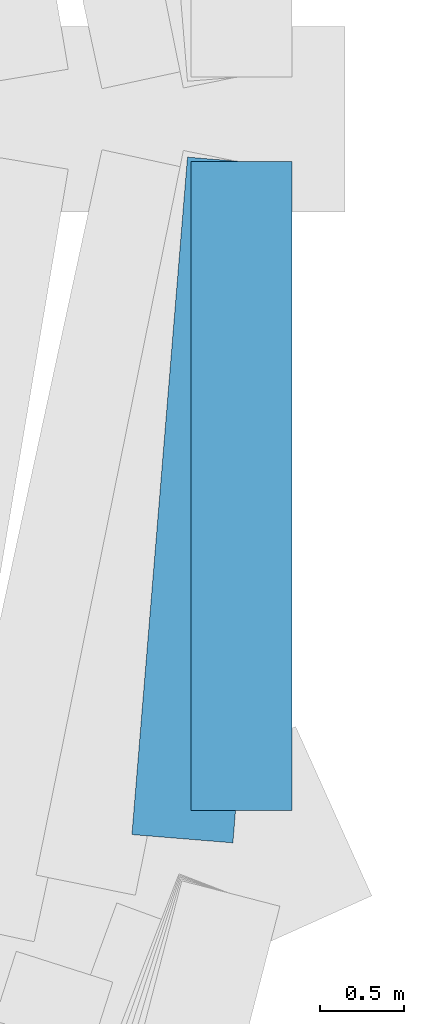
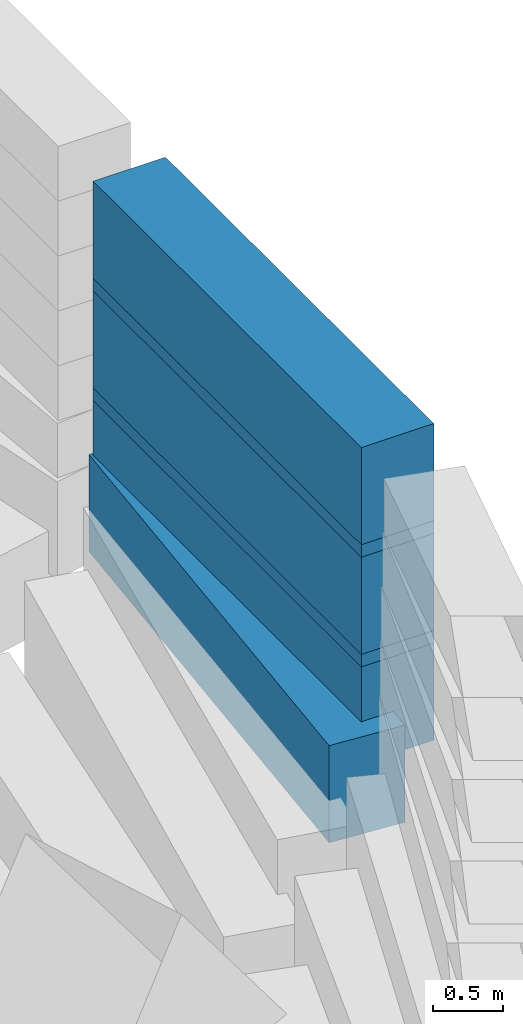
# One storey, part 17 of 55: 6 beams.
"""IFC4 building model written with IfcOpenShell, lengths in metres."""

from ifc_helpers import new_model, si_unit, derived_unit, direction, frame, origin, origin_2d, place, context, subcontext, project, spatial, rectangle, extrude, material, material_profile, profile_set, type_object, element, save


model = new_model("IFC4")

# Units and contexts
model_context = context("Model", 3, precision=1e-05, world=origin(), true_north=direction((0.0, 1.0)))
body_context = subcontext(model_context, "Body", "Model", "MODEL_VIEW")
ifc_project = project(units=[si_unit("LENGTHUNIT", "METRE"), si_unit("AREAUNIT", "SQUARE_METRE"), si_unit("VOLUMEUNIT", "CUBIC_METRE"), si_unit("PLANEANGLEUNIT", "RADIAN"), si_unit("MASSUNIT", "GRAM", prefix="KILO"), derived_unit("THERMALTRANSMITTANCEUNIT", [(si_unit("MASSUNIT", "GRAM", prefix="KILO"), 1), (si_unit("TIMEUNIT", "SECOND"), -3), (si_unit("THERMODYNAMICTEMPERATUREUNIT", "KELVIN"), -1)])], contexts=[model_context])

# Site, building, storey
site_placement = place(None, origin())
site = spatial("IfcSite", under=ifc_project, at=site_placement, CompositionType="ELEMENT")
building_placement = place(site_placement, origin())
building = spatial("IfcBuilding", under=site, at=building_placement, Name="Valcora Ridge Arena", CompositionType="ELEMENT")
storey_placement = place(building_placement, frame((0.0, 0.0, 21.0)))
storey = spatial("IfcBuildingStorey", under=building, at=storey_placement, Name="L04", CompositionType="ELEMENT", Elevation=21.0)

# Beams
ifc_material = material(Name="Concrete C40/50", Category="concrete")
ifc_material_profile = material_profile(ifc_material, rectangle(XDim=0.60009765625, YDim=0.85009765625, at=origin_2d()), Name="RC 600x850")
ifc_profile_set = profile_set([ifc_material_profile], Name="Concrete C40/50")
beam_type = type_object("IfcBeamType", Name="TY-BEAM-B-RC600-X", PredefinedType="BEAM", material=ifc_profile_set)
beam_placement = place(storey_placement, frame((93.55078125, 59.837890625, -3.905029296875), z_axis=(0.081735696673, 0.996654040221, 0.0), x_axis=(-0.996654040221, 0.081735696673, 0.0)))
element("IfcBeam", 1, at=beam_placement, inside=storey, type_object=beam_type, Name="B-RC600-X BEM-RU3-B-RC600-X-0380", PredefinedType="BEAM", context=body_context, shape_type="SweptSolid", body=[
    extrude(rectangle(XDim=0.60009765625, YDim=0.85009765625, at=origin_2d()), origin(), (0.0, 0.0, 1.0), 4.0263671875),
])
for number, where, z_axis, x_axis, name in (
    (2, (93.900390625, 60.005126953125, -3.425048828125), (0.0, 1.0, 0.0), (-1.0, 0.0, 0.0), "B-RC600-X BEM-RU3-B-RC600-X-0411"),
    (3, (93.900390625, 60.005126953125, -2.945068359375), (0.0, 1.0, 0.0), (-1.0, 0.0, 0.0), "B-RC600-X BEM-RU3-B-RC600-X-0443"),
    (4, (93.900390625, 60.005126953125, -2.465087890625), (0.0, 1.0, 0.0), (-1.0, 0.0, 0.0), "B-RC600-X BEM-RU3-B-RC600-X-0475"),
    (5, (93.900390625, 60.005126953125, -1.985107421875), (0.0, 1.0, 0.0), (-1.0, 0.0, 0.0), "B-RC600-X BEM-RU3-B-RC600-X-0507"),
    (6, (93.900390625, 60.005126953125, -1.5048828125), (0.0, 1.0, 0.0), (-1.0, 0.0, 0.0), "B-RC600-X BEM-RU3-B-RC600-X-0539"),
):
    element("IfcBeam", number, at=place(storey_placement, frame(where, z_axis=z_axis, x_axis=x_axis)), inside=storey, type_object=beam_type, Name=name, PredefinedType="BEAM", context=body_context, shape_type="SweptSolid", body=[
        extrude(rectangle(XDim=0.60009765625, YDim=0.85009765625, at=origin_2d()), origin(), (0.0, 0.0, 1.0), 3.844970703125),
    ])

save(model, "model.ifc")
